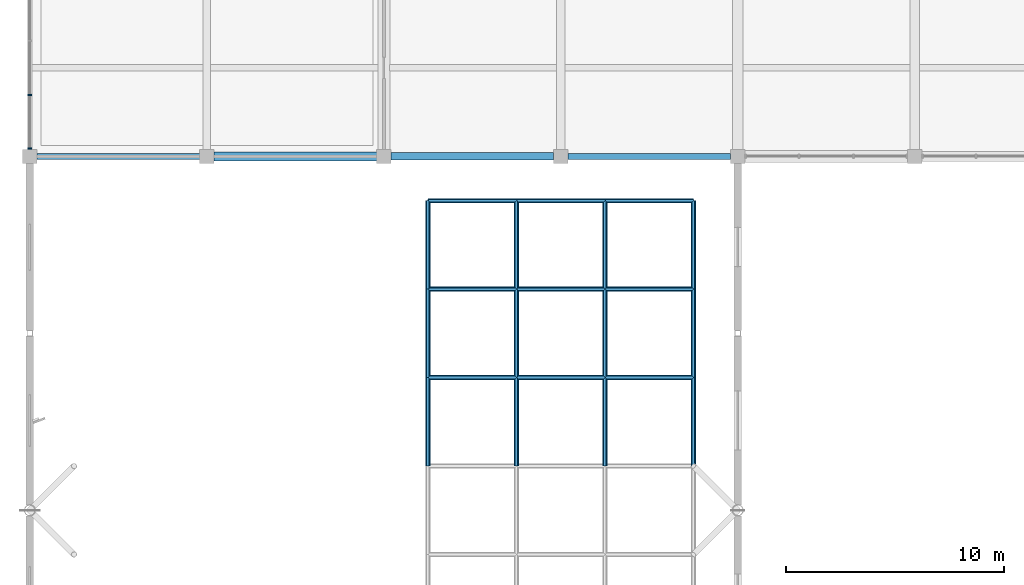
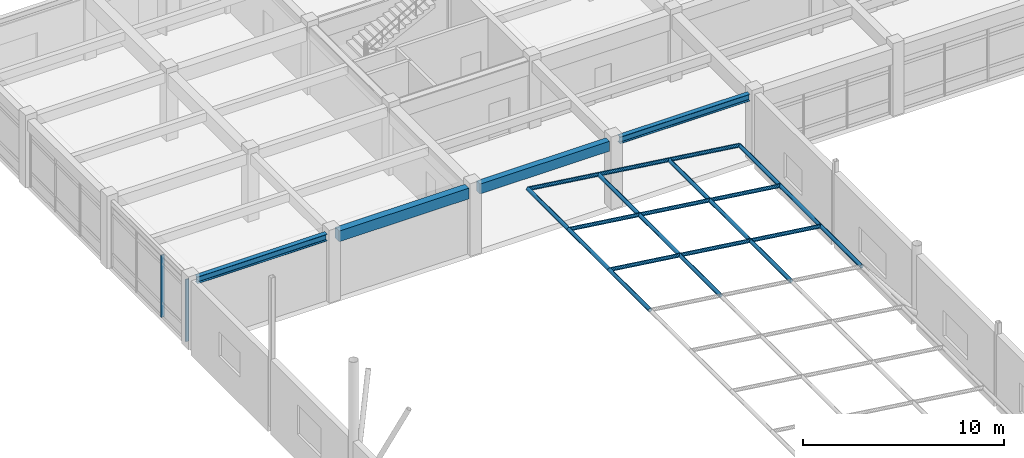
# One storey, part 30 of 89: 23 members, 4 beams, 1 element without a shape of its own.
"""IFC4 building model written with IfcOpenShell, lengths in metres."""

import ifcopenshell
import ifcopenshell.guid

model = None  # the IFC model being written
_history = None  # IfcOwnerHistory: only IFC2X3 demands one
_inside = {}  # id of a spatial element -> (the spatial element, [elements in it])
_under = {}  # id of a project, library or spatial element -> (it, [spatial elements below it])
_declared = {}  # id of a project -> (the project, [libraries it declares])
_typed = {}  # id of a type object -> (the type object, [elements of that type])
_made_of = {}  # id of a material, layer set ... -> (it, [elements and type objects made of it])


def new_model(schema):
    """Start an empty IFC model of exactly this schema.

    Asked for "IFC4X3", IfcOpenShell would pick the latest addendum, in which some entities
    have other attributes; the version numbers below select the first issue.
    IFC2X3 requires an IfcOwnerHistory on every rooted entity: one is made here for all.
    """
    global model, _history
    if schema == "IFC4X3":
        model = ifcopenshell.file(schema_version=(4, 3, 0, 0))
    else:
        model = ifcopenshell.file(schema=schema)
    _inside.clear()
    _under.clear()
    _declared.clear()
    _typed.clear()
    _made_of.clear()
    _history = None
    if model.schema == "IFC2X3":
        org = make("IfcOrganization", Name="unknown")
        user = make(
            "IfcPersonAndOrganization",
            ThePerson=make("IfcPerson", FamilyName="unknown"),
            TheOrganization=org,
        )
        app = make(
            "IfcApplication",
            ApplicationDeveloper=org,
            Version="unknown",
            ApplicationFullName="unknown",
            ApplicationIdentifier="unknown",
        )
        _history = make(
            "IfcOwnerHistory",
            OwningUser=user,
            OwningApplication=app,
            ChangeAction="ADDED",
            CreationDate=0,
        )
    return model


def make(cls, **values):
    """One entity of the class cls with the attributes given. An attribute that is None is left unset."""
    return model.create_entity(
        cls, **{name: value for name, value in values.items() if value is not None}
    )


def rooted(cls, **values):
    """An entity with a GlobalId (a new one), such as an element, a storey or a relation."""
    return make(cls, GlobalId=ifcopenshell.guid.new(), OwnerHistory=_history, **values)


def si_unit(unit_type, name, prefix=None):
    """IfcSIUnit, for example si_unit("LENGTHUNIT", "METRE", prefix="MILLI")."""
    return make("IfcSIUnit", UnitType=unit_type, Prefix=prefix, Name=name)


def assignment(units):
    """IfcUnitAssignment: the units of a project."""
    return None if units is None else make("IfcUnitAssignment", Units=units)


def point(xyz):
    """IfcCartesianPoint."""
    return None if xyz is None else make("IfcCartesianPoint", Coordinates=xyz)


def direction(xyz):
    """IfcDirection."""
    return None if xyz is None else make("IfcDirection", DirectionRatios=xyz)


def frame(location, z_axis=None, x_axis=None):
    """IfcAxis2Placement3D, a coordinate frame: its origin and axes. An axis left out is left unset."""
    return make(
        "IfcAxis2Placement3D",
        Location=point(location),
        Axis=direction(z_axis),
        RefDirection=direction(x_axis),
    )


def frame_2d(location, x_axis=None):
    """IfcAxis2Placement2D, a coordinate frame in the plane: its origin and x axis."""
    return make(
        "IfcAxis2Placement2D", Location=point(location), RefDirection=direction(x_axis)
    )


def origin():
    """The frame at (0, 0, 0) with its axes left unset."""
    return frame((0.0, 0.0, 0.0))


def origin_2d():
    """The frame at (0, 0) in the plane with its x axis left unset."""
    return frame_2d((0.0, 0.0))


def place(relative_to, where):
    """IfcLocalPlacement: puts the frame where relative to a parent placement (None: the world)."""
    return make(
        "IfcLocalPlacement", PlacementRelTo=relative_to, RelativePlacement=where
    )


def context(
    kind, dimensions, precision=None, world=None, true_north=None, identifier=None
):
    """IfcGeometricRepresentationContext, for example the 3D "Model" context."""
    return make(
        "IfcGeometricRepresentationContext",
        ContextIdentifier=identifier,
        ContextType=kind,
        CoordinateSpaceDimension=dimensions,
        Precision=precision,
        WorldCoordinateSystem=world,
        TrueNorth=true_north,
    )


def subcontext(parent, identifier, kind, view, scale=None):
    """IfcGeometricRepresentationSubContext, for example "Body" below "Model"."""
    return make(
        "IfcGeometricRepresentationSubContext",
        ContextIdentifier=identifier,
        ContextType=kind,
        ParentContext=parent,
        TargetScale=scale,
        TargetView=view,
    )


def project(units=None, contexts=None):
    """IfcProject with its units and contexts."""
    return rooted(
        "IfcProject",
        Name="project",
        RepresentationContexts=contexts,
        UnitsInContext=assignment(units),
    )


def spatial(cls, under=None, at=None, **own):
    """A site, building, storey or space (cls), placed at a placement, below another one or the project."""
    s = rooted(cls, ObjectPlacement=at, **own)
    if under is not None:
        _under.setdefault(under.id(), (under, []))[1].append(s)
    return s


def profile(cls, at=None, kind="AREA", **sizes):
    """A parametric profile (cls). Its sizes go by their IFC names, for example OverallWidth=200.0."""
    return make(cls, ProfileType=kind, Position=at, **sizes)


def rectangle(**sizes):
    """IfcRectangleProfileDef."""
    return profile("IfcRectangleProfileDef", **sizes)


def hollow_circle(**sizes):
    """IfcCircleHollowProfileDef."""
    return profile("IfcCircleHollowProfileDef", **sizes)


def i_section(**sizes):
    """IfcIShapeProfileDef."""
    return profile("IfcIShapeProfileDef", **sizes)


def extrude(swept, where, along, depth):
    """IfcExtrudedAreaSolid: the profile swept, set in the frame where, extruded along a direction by depth."""
    return make(
        "IfcExtrudedAreaSolid",
        SweptArea=swept,
        Position=where,
        ExtrudedDirection=direction(along),
        Depth=depth,
    )


def shape(context_of_items, identifier, shape_type, items):
    """IfcShapeRepresentation: the items that make up one representation, for example the "Body"."""
    return make(
        "IfcShapeRepresentation",
        ContextOfItems=context_of_items,
        RepresentationIdentifier=identifier,
        RepresentationType=shape_type,
        Items=items,
    )


def material(Name=None, Category=None):
    """IfcMaterial."""
    return make("IfcMaterial", Name=Name, Category=Category)


def layer(
    of_material, thickness, ventilated=None, Name=None, Category=None, Priority=None
):
    """IfcMaterialLayer: one layer of a wall or slab, of a material (None: an air gap)."""
    return make(
        "IfcMaterialLayer",
        Material=of_material,
        LayerThickness=thickness,
        IsVentilated=ventilated,
        Name=Name,
        Category=Category,
        Priority=Priority,
    )


def layer_set(layers, Name=None):
    """IfcMaterialLayerSet."""
    return make("IfcMaterialLayerSet", MaterialLayers=layers, LayerSetName=Name)


def material_profile(
    of_material, cross_section, Name=None, Category=None, Priority=None
):
    """IfcMaterialProfile: a cross section and its material."""
    return make(
        "IfcMaterialProfile",
        Name=Name,
        Material=of_material,
        Profile=cross_section,
        Priority=Priority,
        Category=Category,
    )


def profile_set(profiles, Name=None, composite=None):
    """IfcMaterialProfileSet."""
    return make(
        "IfcMaterialProfileSet",
        Name=Name,
        MaterialProfiles=profiles,
        CompositeProfile=composite,
    )


def made_of(thing, what):
    """Note that an element or type object is made of a material, layer set ...; save() writes the relation."""
    if what is not None:
        _made_of.setdefault(what.id(), (what, []))[1].append(thing)
    return thing


def type_object(cls, material=None, **own):
    """A type object (cls), such as IfcWallType, which elements share."""
    return made_of(rooted(cls, **own), material)


def element(
    cls,
    number,
    at=None,
    inside=None,
    cuts=None,
    type_object=None,
    material=None,
    context=None,
    identifier="Body",
    shape_type=None,
    held_by="IfcProductDefinitionShape",
    body=None,
    shapes=None,
    **own,
):
    """One element of the class cls, such as IfcWall. Its Tag is "e" and its number.

    at: its placement. inside: the storey or other place that contains it. cuts: it is an
    opening in that element (IfcRelVoidsElement). A single representation is given by context,
    identifier, shape_type and body (its items); several are given by shapes. held_by: the class
    of the entity that holds the representations. save() writes the other relations.
    """
    e = rooted(cls, Tag="e%d" % number, ObjectPlacement=at, **own)
    if body is not None:
        shapes = [shape(context, identifier, shape_type, body)]
    if shapes is not None:
        e.Representation = make(held_by, Representations=shapes)
    if inside is not None:
        _inside.setdefault(inside.id(), (inside, []))[1].append(e)
    if cuts is not None:
        rooted(
            "IfcRelVoidsElement", RelatingBuildingElement=cuts, RelatedOpeningElement=e
        )
    if type_object is not None:
        _typed.setdefault(type_object.id(), (type_object, []))[1].append(e)
    return made_of(e, material)


def aggregate(whole, parts):
    """IfcRelAggregates: a whole, such as a stair, and the parts it consists of."""
    return rooted("IfcRelAggregates", RelatingObject=whole, RelatedObjects=parts)


def save(model, path):
    """Write the relations noted so far, then the file.

    IfcRelAggregates (storeys below a building ...), IfcRelContainedInSpatialStructure (elements
    in a storey), IfcRelDefinesByType, IfcRelAssociatesMaterial and IfcRelDeclares: one each for
    every whole, place, type object, material and project.
    """
    for whole, parts in _under.values():
        aggregate(whole, parts)
    for where, things in _inside.values():
        rooted(
            "IfcRelContainedInSpatialStructure",
            RelatedElements=things,
            RelatingStructure=where,
        )
    for kind, things in _typed.values():
        rooted("IfcRelDefinesByType", RelatedObjects=things, RelatingType=kind)
    for what, things in _made_of.values():
        rooted("IfcRelAssociatesMaterial", RelatedObjects=things, RelatingMaterial=what)
    for by, libraries in _declared.values():
        rooted("IfcRelDeclares", RelatingContext=by, RelatedDefinitions=libraries)
    model.write(path)


model = new_model("IFC4")

# Units and contexts
model_context = context("Model", 3, precision=1e-05, world=origin(), true_north=direction((0.0, 1.0)))
body_context = subcontext(model_context, "Body", "Model", "MODEL_VIEW")
ifc_project = project(units=[si_unit("LENGTHUNIT", "METRE"), si_unit("AREAUNIT", "SQUARE_METRE"), si_unit("VOLUMEUNIT", "CUBIC_METRE"), si_unit("PLANEANGLEUNIT", "RADIAN"), si_unit("MASSUNIT", "GRAM", prefix="KILO")], contexts=[model_context])

# Site, building, storey
site_placement = place(None, origin())
site = spatial("IfcSite", under=ifc_project, at=site_placement, CompositionType="ELEMENT")
building_placement = place(site_placement, origin())
building = spatial("IfcBuilding", under=site, at=building_placement, Name="Vaudrelin Polytechnic", CompositionType="ELEMENT")
storey_placement = place(building_placement, frame((0.0, 0.0, 9.68994140625)))
storey = spatial("IfcBuildingStorey", under=building, at=storey_placement, Name="L02", CompositionType="ELEMENT", Elevation=9.68994140625)

# Beams
ifc_material_1 = material(Name="Concrete 40 MPa", Category="concrete")
ifc_material_profile_1 = material_profile(ifc_material_1, rectangle(XDim=0.35009765625, YDim=0.60009765625, at=origin_2d()), Name="RC350x600")
ifc_profile_set_1 = profile_set([ifc_material_profile_1], Name="Concrete 40 MPa")
beam_type_1 = type_object("IfcBeamType", Name="BM-BM-RC3560", PredefinedType="BEAM", material=ifc_profile_set_1)
beam_1_placement = place(storey_placement, frame((16.52099609375, 97.199951171875, 3.780029296875), z_axis=(1.0, 0.0, 0.0), x_axis=(0.0, 1.0, 0.0)))
element("IfcBeam", 1, at=beam_1_placement, inside=storey, type_object=beam_type_1, Name="L02 X-beam 3-13", PredefinedType="BEAM", context=body_context, shape_type="SweptSolid", body=[
    extrude(rectangle(XDim=0.35009765625, YDim=0.60009765625, at=origin_2d()), origin(), (0.0, 0.0, 1.0), 7.4580078125),
])
ifc_material_profile_2 = material_profile(ifc_material_1, rectangle(XDim=0.39990234375, YDim=0.64990234375, at=origin_2d()), Name="RC400x650")
ifc_profile_set_2 = profile_set([ifc_material_profile_2], Name="Concrete 40 MPa")
beam_type_2 = type_object("IfcBeamType", Name="BM-BM-RC4065", PredefinedType="BEAM", material=ifc_profile_set_2)
beam_2_placement = place(storey_placement, frame((8.4208984375, 97.199951171875, 3.755126953125), z_axis=(1.0, 0.0, 0.0), x_axis=(0.0, 1.0, 0.0)))
element("IfcBeam", 2, at=beam_2_placement, inside=storey, type_object=beam_type_2, Name="L02 X-beam 2-13", PredefinedType="BEAM", context=body_context, shape_type="SweptSolid", body=[
    extrude(rectangle(XDim=0.39990234375, YDim=0.64990234375, at=origin_2d()), origin(), (0.0, 0.0, 1.0), 7.4580078125),
])
ifc_material_2 = material(Name="Steel CSA G40.21 350WT", Category="steel")
ifc_material_profile_3 = material_profile(ifc_material_2, i_section(OverallWidth=0.260009765625, OverallDepth=0.4150390625, WebThickness=0.010009765625, FlangeThickness=0.016845703125, FilletRadius=0.01611328125, at=origin_2d()), Name="W410x100")
ifc_profile_set_3 = profile_set([ifc_material_profile_3], Name="Steel CSA G40.21 350WT")
beam_type_3 = type_object("IfcBeamType", Name="BM-BM-W410H", PredefinedType="SPANDREL", material=ifc_profile_set_3)
for number, where, z_axis, x_axis, name in (
    (3, (0.321044921875, 97.199951171875, 3.87255859375), (1.0, 0.0, 0.0), (0.0, 1.0, 0.0), "L02 X-beam 1-13"),
    (4, (24.62109375, 97.199951171875, 3.87255859375), (1.0, 0.0, 0.0), (0.0, 1.0, 0.0), "L02 X-beam 4-13"),
):
    element("IfcBeam", number, at=place(storey_placement, frame(where, z_axis=z_axis, x_axis=x_axis)), inside=storey, type_object=beam_type_3, Name=name, PredefinedType="SPANDREL", context=body_context, shape_type="SweptSolid", body=[
        extrude(i_section(OverallWidth=0.260009765625, OverallDepth=0.4150390625, WebThickness=0.010009765625, FlangeThickness=0.016845703125, FilletRadius=0.01611328125, at=origin_2d()), origin(), (0.0, 0.0, 1.0), 7.4580078125),
    ])

# Curtain wall, members
ifc_material_3 = material(Name="Thermally broken anodised aluminium AA 6063-T6 and low-e triple glazing", Category="aluminium")
ifc_layer = layer(ifc_material_3, 0.199951171875)
ifc_layer_set = layer_set([ifc_layer], Name="Thermally broken anodised aluminium AA 6063-T6 and low-e triple glazing")
curtain_wall_type = type_object("IfcCurtainWallType", Name="CW-CW-LIB", PredefinedType="USERDEFINED", material=ifc_layer_set)
curtain_wall_placement = place(storey_placement, origin())
curtain_wall = element("IfcCurtainWall", 5, at=curtain_wall_placement, inside=storey, type_object=curtain_wall_type, Name="Curtain wall L02 W_V5_00", ObjectType="CURTAIN WALL", PredefinedType="USERDEFINED")
ifc_material_4 = material(Name="Anodised aluminium AA 6063-T6", Category="aluminium")
ifc_material_profile_4 = material_profile(ifc_material_4, rectangle(XDim=0.06494140625, YDim=0.179931640625, at=origin_2d()), Name="CWM-65x180")
ifc_profile_set_4 = profile_set([ifc_material_profile_4], Name="Anodised aluminium AA 6063-T6")
member_type_1 = type_object("IfcMemberType", Name="MEM-CWM-180", PredefinedType="MULLION", material=ifc_profile_set_4)
member_1_placement = place(storey_placement, frame((0.0, 97.56298828125, 0.0), z_axis=(0.0, 0.0, 1.0), x_axis=(0.0, 1.0, 0.0)))
member_1 = element("IfcMember", 6, at=member_1_placement, type_object=member_type_1, Name="W_V5_00 mullion 1", PredefinedType="MULLION", context=body_context, shape_type="SweptSolid", body=[
    extrude(rectangle(XDim=0.06494140625, YDim=0.179931640625, at=origin_2d()), origin(), (0.0, 0.0, 1.0), 3.777099609375),
])
member_2_placement = place(storey_placement, frame((0.0, 100.0078125, 0.0), z_axis=(0.0, 0.0, 1.0), x_axis=(0.0, 1.0, 0.0)))
member_2 = element("IfcMember", 7, at=member_2_placement, type_object=member_type_1, Name="W_V5_00 mullion 2", PredefinedType="MULLION", context=body_context, shape_type="SweptSolid", body=[
    extrude(rectangle(XDim=0.06494140625, YDim=0.179931640625, at=origin_2d()), origin(), (0.0, 0.0, 1.0), 3.777099609375),
])
aggregate(curtain_wall, [member_1, member_2])

# Members
ifc_material_profile_5 = material_profile(ifc_material_2, hollow_circle(Radius=0.109619140625, WallThickness=0.010986328125, at=origin_2d()), Name="CHS219.1x11.1")
ifc_profile_set_5 = profile_set([ifc_material_profile_5], Name="Steel CSA G40.21 350WT")
member_type_2 = type_object("IfcMemberType", Name="MEM-SF-BC1", PredefinedType="CHORD", material=ifc_profile_set_5)
member_3_placement = place(storey_placement, frame((18.22509765625, 87.074951171875, 4.326171875), z_axis=(0.991443713746, 0.0, -0.13053490902), x_axis=(0.0, 1.0, 0.0)))
element("IfcMember", 8, at=member_3_placement, inside=storey, type_object=member_type_2, Name="Space frame bottom chord X 5-12", PredefinedType="CHORD", context=body_context, shape_type="SweptSolid", body=[
    extrude(hollow_circle(Radius=0.109619140625, WallThickness=0.010986328125, at=origin_2d()), origin(), (0.0, 0.0, 1.0), 4.084716796875),
])
for number, where, z_axis, x_axis, name in (
    (9, (22.27490234375, 87.074951171875, 3.79296875), (0.991444732077, 0.0, -0.130527174324), (0.0, 1.0, 0.0), "Space frame bottom chord X 6-12"),
    (10, (26.324951171875, 87.074951171875, 3.259765625), (0.991444732077, 0.0, -0.130527174324), (0.0, 1.0, 0.0), "Space frame bottom chord X 7-12"),
):
    element("IfcMember", number, at=place(storey_placement, frame(where, z_axis=z_axis, x_axis=x_axis)), inside=storey, type_object=member_type_2, Name=name, PredefinedType="CHORD", context=body_context, shape_type="SweptSolid", body=[
        extrude(hollow_circle(Radius=0.109619140625, WallThickness=0.010986328125, at=origin_2d()), origin(), (0.0, 0.0, 1.0), 4.0849609375),
    ])
member_4_placement = place(storey_placement, frame((18.22509765625, 91.125, 4.326171875), z_axis=(0.991443713746, 0.0, -0.13053490902), x_axis=(0.0, 1.0, 0.0)))
element("IfcMember", 11, at=member_4_placement, inside=storey, type_object=member_type_2, Name="Space frame bottom chord X 5-13", PredefinedType="CHORD", context=body_context, shape_type="SweptSolid", body=[
    extrude(hollow_circle(Radius=0.109619140625, WallThickness=0.010986328125, at=origin_2d()), origin(), (0.0, 0.0, 1.0), 4.084716796875),
])
for number, where, z_axis, x_axis, name in (
    (12, (22.27490234375, 91.125, 3.79296875), (0.991444732077, 0.0, -0.130527174324), (0.0, 1.0, 0.0), "Space frame bottom chord X 6-13"),
    (13, (26.324951171875, 91.125, 3.259765625), (0.991444732077, 0.0, -0.130527174324), (0.0, 1.0, 0.0), "Space frame bottom chord X 7-13"),
):
    element("IfcMember", number, at=place(storey_placement, frame(where, z_axis=z_axis, x_axis=x_axis)), inside=storey, type_object=member_type_2, Name=name, PredefinedType="CHORD", context=body_context, shape_type="SweptSolid", body=[
        extrude(hollow_circle(Radius=0.109619140625, WallThickness=0.010986328125, at=origin_2d()), origin(), (0.0, 0.0, 1.0), 4.0849609375),
    ])
member_5_placement = place(storey_placement, frame((18.22509765625, 95.175048828125, 4.326171875), z_axis=(0.991443713746, 0.0, -0.13053490902), x_axis=(0.0, 1.0, 0.0)))
element("IfcMember", 14, at=member_5_placement, inside=storey, type_object=member_type_2, Name="Space frame bottom chord X 5-14", PredefinedType="CHORD", context=body_context, shape_type="SweptSolid", body=[
    extrude(hollow_circle(Radius=0.109619140625, WallThickness=0.010986328125, at=origin_2d()), origin(), (0.0, 0.0, 1.0), 4.084716796875),
])
for number, where, z_axis, x_axis, name in (
    (15, (22.27490234375, 95.175048828125, 3.79296875), (0.991444732077, 0.0, -0.130527174324), (0.0, 1.0, 0.0), "Space frame bottom chord X 6-14"),
    (16, (26.324951171875, 95.175048828125, 3.259765625), (0.991444732077, 0.0, -0.130527174324), (0.0, 1.0, 0.0), "Space frame bottom chord X 7-14"),
):
    element("IfcMember", number, at=place(storey_placement, frame(where, z_axis=z_axis, x_axis=x_axis)), inside=storey, type_object=member_type_2, Name=name, PredefinedType="CHORD", context=body_context, shape_type="SweptSolid", body=[
        extrude(hollow_circle(Radius=0.109619140625, WallThickness=0.010986328125, at=origin_2d()), origin(), (0.0, 0.0, 1.0), 4.0849609375),
    ])
for number, where, z_axis, x_axis, name in (
    (17, (18.22509765625, 83.02490234375, 4.326171875), (0.0, 1.0, 0.0), (-1.0, 0.0, 0.0), "Space frame bottom chord Y 5-11"),
    (18, (18.22509765625, 87.074951171875, 4.326171875), (0.0, 1.0, 0.0), (-1.0, 0.0, 0.0), "Space frame bottom chord Y 5-12"),
    (19, (18.22509765625, 91.125, 4.326171875), (0.0, 1.0, 0.0), (-1.0, 0.0, 0.0), "Space frame bottom chord Y 5-13"),
    (20, (22.27490234375, 83.02490234375, 3.79296875), (0.0, 1.0, 0.0), (-1.0, 0.0, 0.0), "Space frame bottom chord Y 6-11"),
    (21, (22.27490234375, 87.074951171875, 3.79296875), (0.0, 1.0, 0.0), (-1.0, 0.0, 0.0), "Space frame bottom chord Y 6-12"),
    (22, (22.27490234375, 91.125, 3.79296875), (0.0, 1.0, 0.0), (-1.0, 0.0, 0.0), "Space frame bottom chord Y 6-13"),
    (23, (26.324951171875, 83.02490234375, 3.259765625), (0.0, 1.0, 0.0), (-1.0, 0.0, 0.0), "Space frame bottom chord Y 7-11"),
    (24, (26.324951171875, 87.074951171875, 3.259765625), (0.0, 1.0, 0.0), (-1.0, 0.0, 0.0), "Space frame bottom chord Y 7-12"),
    (25, (26.324951171875, 91.125, 3.259765625), (0.0, 1.0, 0.0), (-1.0, 0.0, 0.0), "Space frame bottom chord Y 7-13"),
    (26, (30.375, 83.02490234375, 2.7265625), (0.0, 1.0, 0.0), (-1.0, 0.0, 0.0), "Space frame bottom chord Y 8-11"),
    (27, (30.375, 87.074951171875, 2.7265625), (0.0, 1.0, 0.0), (-1.0, 0.0, 0.0), "Space frame bottom chord Y 8-12"),
    (28, (30.375, 91.125, 2.7265625), (0.0, 1.0, 0.0), (-1.0, 0.0, 0.0), "Space frame bottom chord Y 8-13"),
):
    element("IfcMember", number, at=place(storey_placement, frame(where, z_axis=z_axis, x_axis=x_axis)), inside=storey, type_object=member_type_2, Name=name, PredefinedType="CHORD", context=body_context, shape_type="SweptSolid", body=[
        extrude(hollow_circle(Radius=0.109619140625, WallThickness=0.010986328125, at=origin_2d()), origin(), (0.0, 0.0, 1.0), 4.050048828125),
    ])

save(model, "model.ifc")
